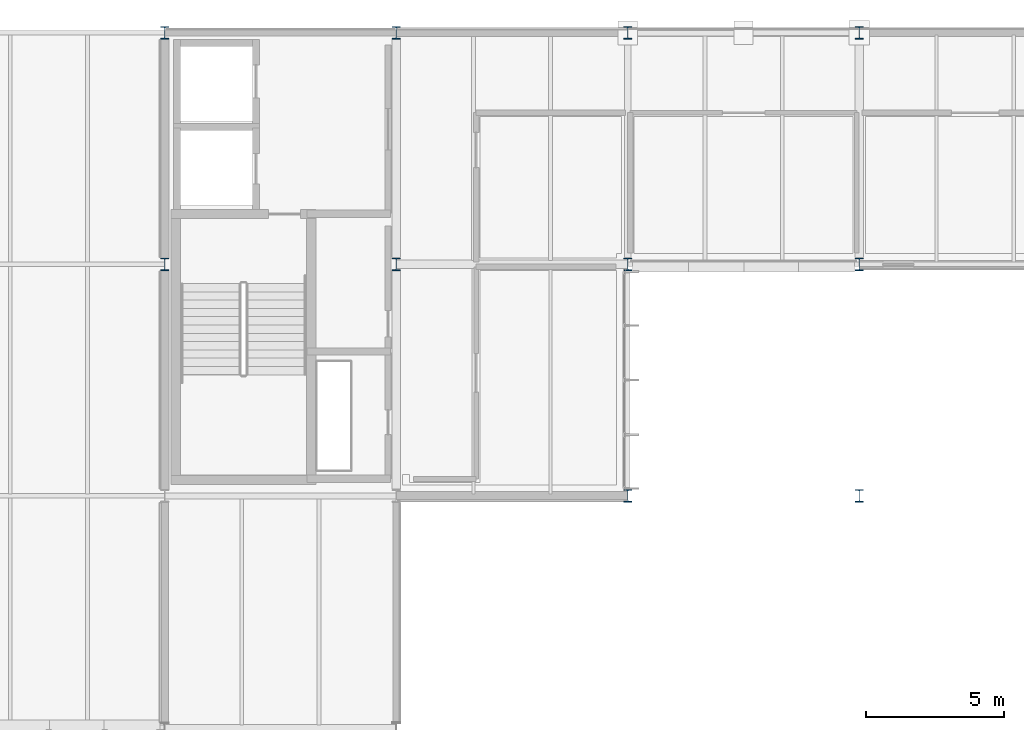
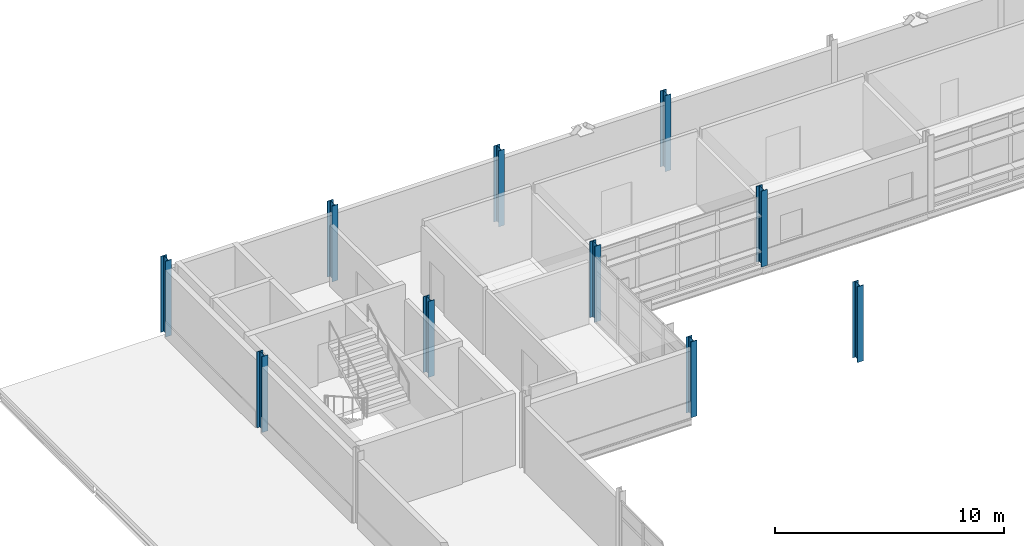
# One storey, part 7 of 131: 10 columns.
"""IFC4 building model written with IfcOpenShell, lengths in metres."""

from ifc_helpers import new_model, si_unit, direction, frame, origin, origin_2d, place, context, subcontext, project, spatial, i_section, extrude, material, material_profile, profile_set, type_object, element, save


model = new_model("IFC4")

# Units and contexts
model_context = context("Model", 3, precision=1e-05, world=origin(), true_north=direction((0.0, 1.0)))
body_context = subcontext(model_context, "Body", "Model", "MODEL_VIEW")
ifc_project = project(units=[si_unit("LENGTHUNIT", "METRE"), si_unit("AREAUNIT", "SQUARE_METRE"), si_unit("VOLUMEUNIT", "CUBIC_METRE"), si_unit("PLANEANGLEUNIT", "RADIAN"), si_unit("MASSUNIT", "GRAM", prefix="KILO")], contexts=[model_context])

# Site, building, storey
site_placement = place(None, origin())
site = spatial("IfcSite", under=ifc_project, at=site_placement, CompositionType="ELEMENT")
building_placement = place(site_placement, origin())
building = spatial("IfcBuilding", under=site, at=building_placement, Name="Mersafa Astral City Hall", CompositionType="ELEMENT")
storey_placement = place(building_placement, frame((0.0, 0.0, 13.949951171875)))
storey = spatial("IfcBuildingStorey", under=building, at=storey_placement, Name="L03", CompositionType="ELEMENT", Elevation=13.949951171875)

# Columns
ifc_material = material(Name="Steel S355", Category="steel")
ifc_material_profile = material_profile(ifc_material, i_section(OverallWidth=0.300048828125, OverallDepth=0.449951171875, WebThickness=0.013916015625, FlangeThickness=0.02587890625, FilletRadius=0.027099609375, at=origin_2d()), Name="HEB 450")
ifc_profile_set = profile_set([ifc_material_profile], Name="Steel S355")
column_type = type_object("IfcColumnType", Name="STR-COL-HEB450", PredefinedType="COLUMN", material=ifc_profile_set)
for number, where, z_axis, x_axis, name in (
    (1, (42.0, 117.60009765625, 0.0), (0.0, 0.0, 1.0), (1.0, 0.0, 0.0), "L03 Structural column G-05-14"),
    (2, (42.0, 126.0, 0.0), (0.0, 0.0, 1.0), (1.0, 0.0, 0.0), "L03 Structural column G-05-15"),
    (3, (50.39990234375, 117.60009765625, 0.0), (0.0, 0.0, 1.0), (1.0, 0.0, 0.0), "L03 Structural column G-06-14"),
    (4, (50.39990234375, 126.0, 0.0), (0.0, 0.0, 1.0), (1.0, 0.0, 0.0), "L03 Structural column G-06-15"),
    (5, (58.800048828125, 109.199951171875, 0.0), (0.0, 0.0, 1.0), (1.0, 0.0, 0.0), "L03 Structural column G-07-13"),
    (6, (58.800048828125, 117.60009765625, 0.0), (0.0, 0.0, 1.0), (1.0, 0.0, 0.0), "L03 Structural column G-07-14"),
    (7, (58.800048828125, 126.0, 0.0), (0.0, 0.0, 1.0), (1.0, 0.0, 0.0), "L03 Structural column G-07-15"),
    (8, (67.199951171875, 109.199951171875, 0.0), (0.0, 0.0, 1.0), (1.0, 0.0, 0.0), "L03 Structural column G-08-13"),
    (9, (67.199951171875, 117.60009765625, 0.0), (0.0, 0.0, 1.0), (1.0, 0.0, 0.0), "L03 Structural column G-08-14"),
    (10, (67.199951171875, 126.0, 0.0), (0.0, 0.0, 1.0), (1.0, 0.0, 0.0), "L03 Structural column G-08-15"),
):
    element("IfcColumn", number, at=place(storey_placement, frame(where, z_axis=z_axis, x_axis=x_axis)), inside=storey, type_object=column_type, Name=name, PredefinedType="COLUMN", context=body_context, shape_type="SweptSolid", body=[
        extrude(i_section(OverallWidth=0.300048828125, OverallDepth=0.449951171875, WebThickness=0.013916015625, FlangeThickness=0.02587890625, FilletRadius=0.027099609375, at=origin_2d()), origin(), (0.0, 0.0, 1.0), 4.050048828125),
    ])

save(model, "model.ifc")
